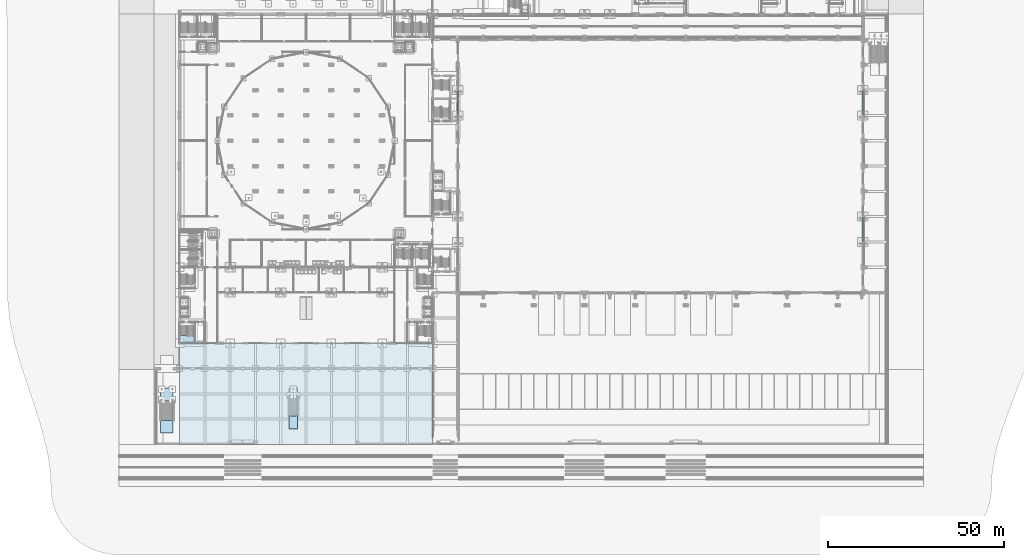
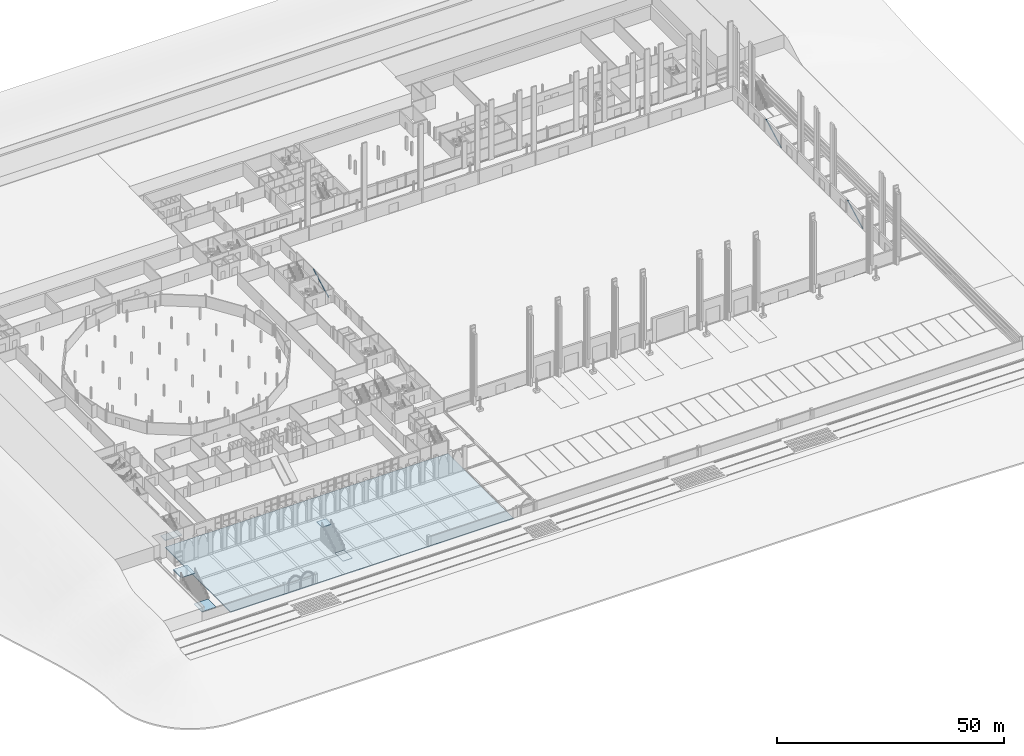
# One storey, part 72 of 148: 6 slabs, 3 members, 3 elements without a shape of their own.
"""IFC4 building model written with IfcOpenShell, lengths in metres."""

from ifc_helpers import new_model, si_unit, direction, frame, origin, origin_2d, place, context, subcontext, project, spatial, polyline, hollow_circle, outline, extrude, material, layer, layer_set, material_profile, profile_set, type_object, element, aggregate, save


model = new_model("IFC4")

# Units and contexts
model_context = context("Model", 3, precision=1e-05, world=origin(), true_north=direction((0.0, 1.0)))
body_context = subcontext(model_context, "Body", "Model", "MODEL_VIEW")
ifc_project = project(units=[si_unit("LENGTHUNIT", "METRE"), si_unit("AREAUNIT", "SQUARE_METRE"), si_unit("VOLUMEUNIT", "CUBIC_METRE"), si_unit("PLANEANGLEUNIT", "RADIAN"), si_unit("MASSUNIT", "GRAM", prefix="KILO")], contexts=[model_context])

# Site, building, storey
site_placement = place(None, origin())
site = spatial("IfcSite", under=ifc_project, at=site_placement, CompositionType="ELEMENT")
building_placement = place(site_placement, origin())
building = spatial("IfcBuilding", under=site, at=building_placement, Name="Kupolbacken Congress Centre", CompositionType="ELEMENT")
storey_placement = place(building_placement, origin())
storey = spatial("IfcBuildingStorey", under=building, at=storey_placement, Name="L00", CompositionType="ELEMENT", Elevation=0.0)

# Members
ifc_material_1 = material(Name="Steel S355", Category="steel")
ifc_material_profile = material_profile(ifc_material_1, hollow_circle(Radius=0.136474609375, WallThickness=0.012451171875, at=origin_2d()), Name="CHS 273 x 12.5")
ifc_profile_set = profile_set([ifc_material_profile], Name="Steel S355")
member_type = type_object("IfcMemberType", Name="M08 brace CHS 273 x 12.5", PredefinedType="BRACE", material=ifc_profile_set)
for number, where, z_axis, x_axis, name in (
    (1, (86.39990234375, 93.844970703125, 0.0), (0.0, 0.881180466795, 0.472780059793), (-1.0, 0.0, 0.0), "S/brace/W/08/01"),
    (2, (201.60009765625, 57.844970703125, 0.0), (0.0, 0.881180466795, 0.472780059793), (-1.0, 0.0, 0.0), "S/brace/E/03/01"),
    (3, (201.60009765625, 93.844970703125, 0.0), (0.0, 0.881180466795, 0.472780059793), (-1.0, 0.0, 0.0), "S/brace/E/08/01"),
):
    element("IfcMember", number, at=place(storey_placement, frame(where, z_axis=z_axis, x_axis=x_axis)), inside=storey, type_object=member_type, Name=name, PredefinedType="BRACE", context=body_context, shape_type="SweptSolid", body=[
        extrude(hollow_circle(Radius=0.136474609375, WallThickness=0.012451171875, at=origin_2d()), origin(), (0.0, 0.0, 1.0), 7.61474609375),
    ])

# Slab
ifc_material_2 = material(Name="Concrete C30/37", Category="concrete")
ifc_layer_1 = layer(ifc_material_2, 0.22998046875)
ifc_layer_set_1 = layer_set([ifc_layer_1], Name="Concrete C30/37")
slab_type_1 = type_object("IfcSlabType", Name="BS1 slab 230", PredefinedType="BASESLAB", material=ifc_layer_set_1)
slab_1_placement = place(storey_placement, frame((0.0, 0.0, -0.22998046875)))
element("IfcSlab", 4, at=slab_1_placement, inside=storey, type_object=slab_type_1, Name="S/ground/COURT", PredefinedType="BASESLAB", context=body_context, shape_type="SweptSolid", body=[
    extrude(outline(polyline([(7.200439453125, 0.00146484375), (79.199462890625, 0.00146484375), (79.199462890625, 28.799560546875), (7.200439453125, 28.799560546875), (7.200439453125, 0.00146484375)]), holes=[polyline([(40.800537109375, 4.449462890625), (38.3994140625, 4.449462890625), (38.3994140625, 8.050537109375), (40.800537109375, 8.050537109375), (40.800537109375, 4.449462890625)])]), origin(), (0.0, 0.0, 1.0), 0.22998046875),
])

# Stair, slab
ifc_material_3 = material(Name="Steel S355", Category="steel")
stair_type_1 = type_object("IfcStairType", Name="ST3 stair 1800", PredefinedType="TWO_STRAIGHT_RUN_STAIR", material=ifc_material_3)
stair_1_placement = place(storey_placement, origin())
stair_1 = element("IfcStair", 5, at=stair_1_placement, inside=storey, type_object=stair_type_1, Name="C/stair/FS1W/L00", PredefinedType="NOTDEFINED")
ifc_material_4 = material(Name="Concrete C30/37", Category="concrete")
ifc_layer_2 = layer(ifc_material_4, 0.175048828125)
ifc_material_5 = material(Name="Limestone", Category="masonry")
ifc_layer_3 = layer(ifc_material_5, 0.030029296875)
ifc_layer_set_2 = layer_set([ifc_layer_2, ifc_layer_3], Name="Concrete C30/37 / Limestone")
slab_type_2 = type_object("IfcSlabType", Name="SL2 slab 205", PredefinedType="LANDING", material=ifc_layer_set_2)
slab_2_placement = place(storey_placement, frame((0.0, 0.0, 1.50927734375)))
slab_2 = element("IfcSlab", 6, at=slab_2_placement, type_object=slab_type_2, Name="FS1W landing 1", PredefinedType="LANDING", context=body_context, shape_type="SweptSolid", body=[
    extrude(outline(polyline([(7.304931640625, 28.905029296875), (11.4951171875, 28.905029296875), (11.4951171875, 31.030029296875), (7.304931640625, 31.030029296875), (7.304931640625, 28.905029296875)])), origin(), (0.0, 0.0, 1.0), 0.205078125),
])
aggregate(stair_1, [slab_2])

# Stair, slabs
ifc_material_6 = material(Name="Concrete C30/37", Category="concrete")
stair_type_2 = type_object("IfcStairType", Name="XS1 external stair 3600", PredefinedType="STRAIGHT_RUN_STAIR", material=ifc_material_6)
stair_2_placement = place(storey_placement, origin())
stair_2 = element("IfcStair", 7, at=stair_2_placement, inside=storey, type_object=stair_type_2, Name="External stair XS1", PredefinedType="STRAIGHT_RUN_STAIR")
slab_3_placement = place(storey_placement, frame((0.0, 0.0, 3.39501953125)))
slab_3 = element("IfcSlab", 8, at=slab_3_placement, type_object=slab_type_2, Name="XS1 landing 1", PredefinedType="LANDING", context=body_context, shape_type="SweptSolid", body=[
    extrude(outline(polyline([(1.800048828125, 12.39501953125), (5.39990234375, 12.39501953125), (5.39990234375, 16.0048828125), (1.800048828125, 16.0048828125), (1.800048828125, 12.39501953125)])), origin(), (0.0, 0.0, 1.0), 0.205078125),
])
slab_4_placement = place(storey_placement, frame((0.0, 0.0, -0.205078125)))
slab_4 = element("IfcSlab", 9, at=slab_4_placement, type_object=slab_type_2, Name="XS1 landing 2", PredefinedType="LANDING", context=body_context, shape_type="SweptSolid", body=[
    extrude(outline(polyline([(1.800048828125, 3.195068359375), (5.39990234375, 3.195068359375), (5.39990234375, 6.804931640625), (1.800048828125, 6.804931640625), (1.800048828125, 3.195068359375)])), origin(), (0.0, 0.0, 1.0), 0.205078125),
])
aggregate(stair_2, [slab_3, slab_4])

ifc_material_7 = material(Name="Steel S355", Category="steel")
stair_type_3 = type_object("IfcStairType", Name="ST4 stair 2400", PredefinedType="STRAIGHT_RUN_STAIR", material=ifc_material_7)
stair_3_placement = place(storey_placement, origin())
stair_3 = element("IfcStair", 10, at=stair_3_placement, inside=storey, type_object=stair_type_3, Name="External stair XS4", PredefinedType="STRAIGHT_RUN_STAIR")
slab_5_placement = place(storey_placement, frame((0.0, 0.0, 3.39501953125)))
slab_5 = element("IfcSlab", 11, at=slab_5_placement, type_object=slab_type_2, Name="ST4 landing 1", PredefinedType="LANDING", context=body_context, shape_type="SweptSolid", body=[
    extrude(outline(polyline([(38.39990234375, 13.64501953125), (40.800048828125, 13.64501953125), (40.800048828125, 16.054931640625), (38.39990234375, 16.054931640625), (38.39990234375, 13.64501953125)])), origin(), (0.0, 0.0, 1.0), 0.205078125),
])
slab_6_placement = place(storey_placement, frame((0.0, 0.0, -0.205078125)))
slab_6 = element("IfcSlab", 12, at=slab_6_placement, type_object=slab_type_2, Name="ST4 landing 2", PredefinedType="LANDING", context=body_context, shape_type="SweptSolid", body=[
    extrude(outline(polyline([(38.39990234375, 4.445068359375), (40.800048828125, 4.445068359375), (40.800048828125, 8.054931640625), (38.39990234375, 8.054931640625), (38.39990234375, 4.445068359375)])), origin(), (0.0, 0.0, 1.0), 0.205078125),
])
aggregate(stair_3, [slab_5, slab_6])

save(model, "model.ifc")
